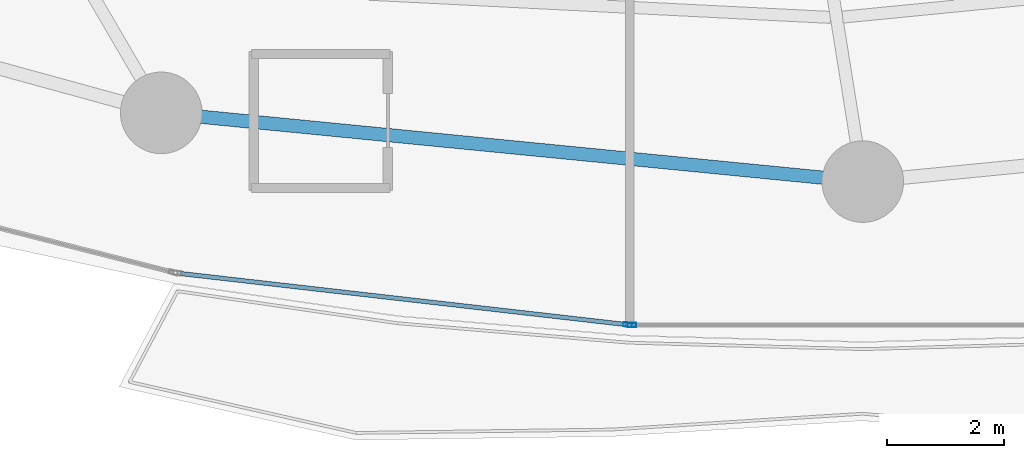
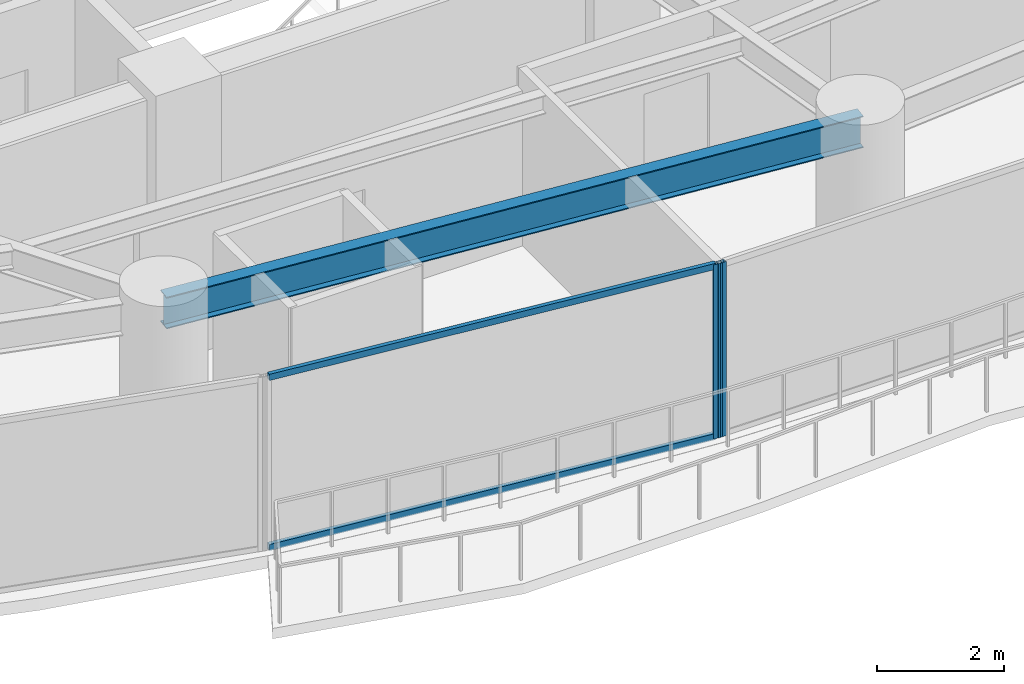
# One storey, part 6 of 33: 4 members, 1 beam, 2 elements without a shape of their own.
"""IFC4 building model written with IfcOpenShell, lengths in metres."""

from ifc_helpers import new_model, si_unit, direction, frame, origin, origin_2d, place, context, subcontext, project, spatial, hollow_rectangle, i_section, extrude, material, layer, layer_set, material_profile, profile_set, type_object, element, aggregate, save


model = new_model("IFC4")

# Units and contexts
model_context = context("Model", 3, precision=1e-05, world=origin(), true_north=direction((0.0, 1.0)))
body_context = subcontext(model_context, "Body", "Model", "MODEL_VIEW")
ifc_project = project(units=[si_unit("LENGTHUNIT", "METRE"), si_unit("AREAUNIT", "SQUARE_METRE"), si_unit("VOLUMEUNIT", "CUBIC_METRE"), si_unit("PLANEANGLEUNIT", "RADIAN"), si_unit("MASSUNIT", "GRAM", prefix="KILO")], contexts=[model_context])

# Site, building, storey
site_placement = place(None, origin())
site = spatial("IfcSite", under=ifc_project, at=site_placement, CompositionType="ELEMENT")
building_placement = place(site_placement, origin())
building = spatial("IfcBuilding", under=site, at=building_placement, Name="Kazevale Care Tower and Concert Hall", CompositionType="ELEMENT")
storey_placement = place(building_placement, frame((0.0, 0.0, 27.60009765625)))
storey = spatial("IfcBuildingStorey", under=building, at=storey_placement, Name="L06", CompositionType="ELEMENT", Elevation=27.60009765625)

# Curtain wall, member
ifc_material_1 = material(Name="Aluminium 6063-T6 and Low-E Glass", Category="aluminium")
ifc_layer = layer(ifc_material_1, 0.179931640625)
ifc_layer_set = layer_set([ifc_layer], Name="Aluminium 6063-T6 and Low-E Glass")
curtain_wall_type = type_object("IfcCurtainWallType", Name="Sheltered Concave Balcony Curtain Wall CW-5", PredefinedType="NOTDEFINED", material=ifc_layer_set)
curtain_wall_1_placement = place(storey_placement, origin())
curtain_wall_1 = element("IfcCurtainWall", 1, at=curtain_wall_1_placement, inside=storey, type_object=curtain_wall_type, Name="cw:L06:f06", PredefinedType="NOTDEFINED")
ifc_material_2 = material(Name="Aluminium 6063-T6", Category="aluminium")
ifc_material_profile_1 = material_profile(ifc_material_2, hollow_rectangle(XDim=0.074951171875, YDim=0.14990234375, WallThickness=0.00390625, at=origin_2d()), Name="ALU75x150x4")
ifc_profile_set_1 = profile_set([ifc_material_profile_1], Name="Aluminium 6063-T6")
member_type_1 = type_object("IfcMemberType", Name="CW-5 Mullion ALU75x150x4", PredefinedType="MULLION", material=ifc_profile_set_1)
member_1_placement = place(storey_placement, frame((41.03955078125, 14.889892578125, 0.0), z_axis=(0.0, 0.0, 1.0), x_axis=(0.0, -1.0, 0.0)))
member_1 = element("IfcMember", 2, at=member_1_placement, type_object=member_type_1, Name="CW-5 mullion 2", PredefinedType="MULLION", context=body_context, shape_type="SweptSolid", body=[
    extrude(hollow_rectangle(XDim=0.074951171875, YDim=0.14990234375, WallThickness=0.00390625, at=origin_2d()), origin(), (0.0, 0.0, 1.0), 3.35986328125),
])
aggregate(curtain_wall_1, [member_1])

# Curtain wall, members
curtain_wall_2_placement = place(storey_placement, origin())
curtain_wall_2 = element("IfcCurtainWall", 3, at=curtain_wall_2_placement, inside=storey, type_object=curtain_wall_type, Name="cw:L06:f07", PredefinedType="NOTDEFINED")
member_2_placement = place(storey_placement, frame((40.96484375, 14.894287109375, 0.0), z_axis=(0.0, 0.0, 1.0), x_axis=(-0.113704773808, -0.993514581883, 0.0)))
member_2 = element("IfcMember", 4, at=member_2_placement, type_object=member_type_1, Name="CW-5 mullion 1", PredefinedType="MULLION", context=body_context, shape_type="SweptSolid", body=[
    extrude(hollow_rectangle(XDim=0.074951171875, YDim=0.14990234375, WallThickness=0.00390625, at=origin_2d()), origin(), (0.0, 0.0, 1.0), 3.35986328125),
])
ifc_material_profile_2 = material_profile(ifc_material_2, hollow_rectangle(XDim=0.074951171875, YDim=0.1201171875, WallThickness=0.00390625, at=origin_2d()), Name="ALU75x120x4")
ifc_profile_set_2 = profile_set([ifc_material_profile_2], Name="Aluminium 6063-T6")
member_type_2 = type_object("IfcMemberType", Name="CW-5 Transom ALU75x120x4", PredefinedType="USERDEFINED", material=ifc_profile_set_2)
member_3_placement = place(storey_placement, frame((40.927490234375, 14.8984375, 0.037353515625), z_axis=(-0.993513842403, 0.113711234948, 0.0), x_axis=(-0.113711234948, -0.993513842403, 0.0)))
member_3 = element("IfcMember", 5, at=member_3_placement, type_object=member_type_2, Name="CW-5 transom 1.1", ObjectType="TRANSOM", PredefinedType="USERDEFINED", context=body_context, shape_type="SweptSolid", body=[
    extrude(hollow_rectangle(XDim=0.074951171875, YDim=0.1201171875, WallThickness=0.00390625, at=origin_2d()), origin(), (0.0, 0.0, 1.0), 7.69482421875),
])
member_4_placement = place(storey_placement, frame((40.927490234375, 14.8984375, 3.322509765625), z_axis=(-0.993513842403, 0.113711234948, 0.0), x_axis=(-0.113711234948, -0.993513842403, 0.0)))
member_4 = element("IfcMember", 6, at=member_4_placement, type_object=member_type_2, Name="CW-5 transom 1.2", ObjectType="TRANSOM", PredefinedType="USERDEFINED", context=body_context, shape_type="SweptSolid", body=[
    extrude(hollow_rectangle(XDim=0.074951171875, YDim=0.1201171875, WallThickness=0.00390625, at=origin_2d()), origin(), (0.0, 0.0, 1.0), 7.69482421875),
])
aggregate(curtain_wall_2, [member_2, member_3, member_4])

# Beam
ifc_material_3 = material(Name="Steel ASTM A572 Gr 50", Category="steel")
ifc_material_profile_3 = material_profile(ifc_material_3, i_section(OverallWidth=0.22900390625, OverallDepth=0.612060546875, WebThickness=0.011962890625, FlangeThickness=0.01953125, at=origin_2d()), Name="W610x125")
ifc_profile_set_3 = profile_set([ifc_material_profile_3], Name="Steel ASTM A572 Gr 50")
beam_type = type_object("IfcBeamType", Name="Ring Spandrel Beam W610x125", PredefinedType="SPANDREL", material=ifc_profile_set_3)
beam_placement = place(storey_placement, frame((32.9599609375, 18.530029296875, 3.053955078125), z_axis=(0.995232251602, -0.09753340644, 0.0), x_axis=(0.09753340644, 0.995232251602, 0.0)))
element("IfcBeam", 7, at=beam_placement, inside=storey, type_object=beam_type, Name="beam:L06:ring:12", PredefinedType="SPANDREL", context=body_context, shape_type="SweptSolid", body=[
    extrude(i_section(OverallWidth=0.22900390625, OverallDepth=0.612060546875, WebThickness=0.011962890625, FlangeThickness=0.01953125, at=origin_2d()), origin(), (0.0, 0.0, 1.0), 12.09765625),
])

save(model, "model.ifc")
